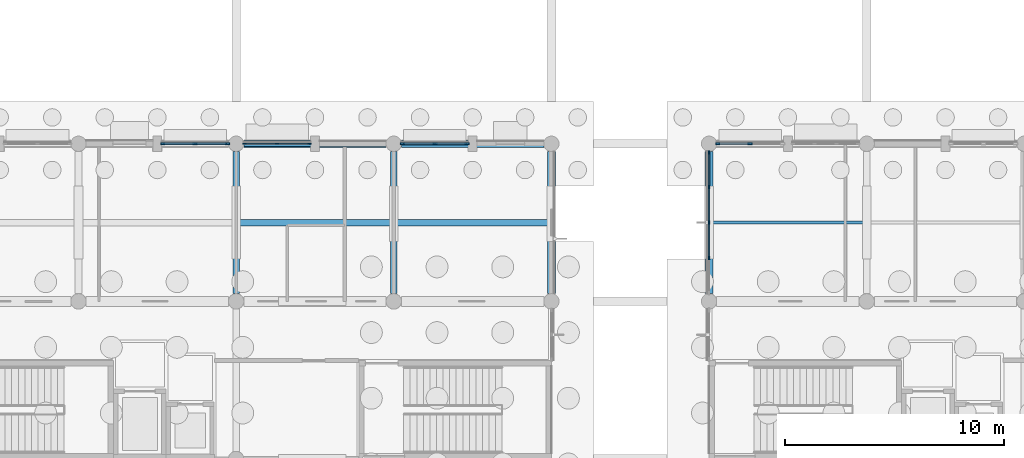
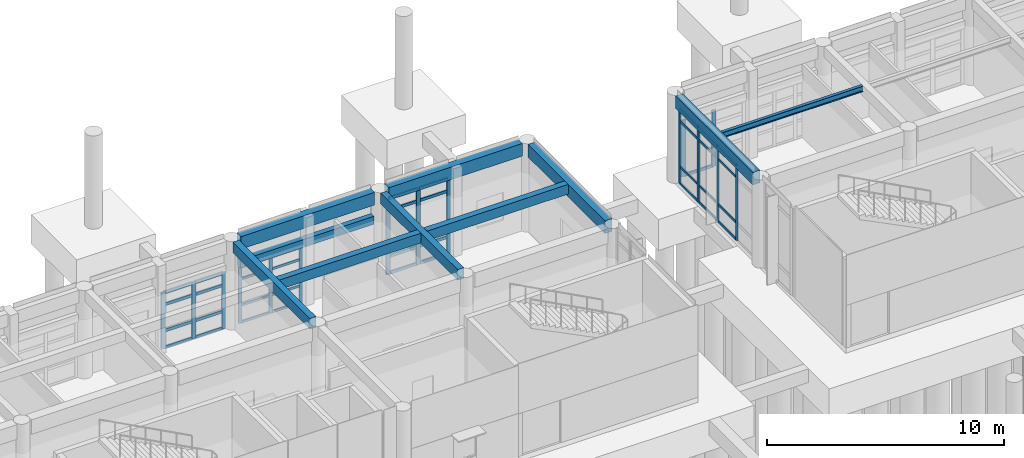
# One storey, part 33 of 103: 52 members, 10 beams, 5 elements without a shape of their own.
"""IFC4 building model written with IfcOpenShell, lengths in metres."""

from ifc_helpers import new_model, si_unit, direction, frame, origin, origin_2d, place, context, subcontext, project, spatial, rectangle, i_section, extrude, material, layer, layer_set, material_profile, profile_set, type_object, element, aggregate, save


model = new_model("IFC4")

# Units and contexts
model_context = context("Model", 3, precision=1e-05, world=origin(), true_north=direction((0.0, 1.0)))
body_context = subcontext(model_context, "Body", "Model", "MODEL_VIEW")
ifc_project = project(units=[si_unit("LENGTHUNIT", "METRE"), si_unit("AREAUNIT", "SQUARE_METRE"), si_unit("VOLUMEUNIT", "CUBIC_METRE"), si_unit("PLANEANGLEUNIT", "RADIAN"), si_unit("MASSUNIT", "GRAM", prefix="KILO")], contexts=[model_context])

# Site, building, storey
site_placement = place(None, origin())
site = spatial("IfcSite", under=ifc_project, at=site_placement, CompositionType="ELEMENT")
building_placement = place(site_placement, origin())
building = spatial("IfcBuilding", under=site, at=building_placement, Name="Namkhue Oval Health Centre", CompositionType="ELEMENT")
storey_placement = place(building_placement, origin())
storey = spatial("IfcBuildingStorey", under=building, at=storey_placement, Name="L00", CompositionType="ELEMENT", Elevation=0.0)

# Curtain wall, members
ifc_material_1 = material(Name="Anodised aluminium EN AW-6063 T6", Category="aluminium")
ifc_layer_1 = layer(ifc_material_1, 0.159912109375)
ifc_layer_set_1 = layer_set([ifc_layer_1], Name="Anodised aluminium EN AW-6063 T6")
curtain_wall_type_1 = type_object("IfcCurtainWallType", Name="UNITISED CURTAIN WALL M1500", PredefinedType="NOTDEFINED", material=ifc_layer_set_1)
curtain_wall_1_placement = place(storey_placement, origin())
curtain_wall_1 = element("IfcCurtainWall", 1, at=curtain_wall_1_placement, inside=storey, type_object=curtain_wall_type_1, Name="Volume V2 L00 Unitised Curtain Wall 39", PredefinedType="NOTDEFINED")
ifc_material_profile_1 = material_profile(ifc_material_1, rectangle(XDim=0.06494140625, YDim=0.159912109375, at=origin_2d()), Name="ALU 65x160")
ifc_profile_set_1 = profile_set([ifc_material_profile_1], Name="Anodised aluminium EN AW-6063 T6")
member_type_1 = type_object("IfcMemberType", Name="CURTAIN WALL MULLION 65X160", PredefinedType="MULLION", material=ifc_profile_set_1)
member_1_placement = place(storey_placement, frame((75.3564453125, 104.39990234375, 0.0), z_axis=(0.0, 0.0, 1.0), x_axis=(0.0, -1.0, 0.0)))
member_1 = element("IfcMember", 2, at=member_1_placement, type_object=member_type_1, Name="CW-03 mullion 1", PredefinedType="MULLION", context=body_context, shape_type="SweptSolid", body=[
    extrude(rectangle(XDim=0.06494140625, YDim=0.159912109375, at=origin_2d()), origin(), (0.0, 0.0, 1.0), 2.89990234375),
])
member_2_placement = place(storey_placement, frame((73.87451171875, 104.39990234375, 0.0), z_axis=(0.0, 0.0, 1.0), x_axis=(0.0, -1.0, 0.0)))
member_2 = element("IfcMember", 3, at=member_2_placement, type_object=member_type_1, Name="CW-03 mullion 2", PredefinedType="MULLION", context=body_context, shape_type="SweptSolid", body=[
    extrude(rectangle(XDim=0.06494140625, YDim=0.159912109375, at=origin_2d()), origin(), (0.0, 0.0, 1.0), 2.89990234375),
])
member_3_placement = place(storey_placement, frame((72.392578125, 104.39990234375, 0.0), z_axis=(0.0, 0.0, 1.0), x_axis=(0.0, -1.0, 0.0)))
member_3 = element("IfcMember", 4, at=member_3_placement, type_object=member_type_1, Name="CW-03 mullion 3", PredefinedType="MULLION", context=body_context, shape_type="SweptSolid", body=[
    extrude(rectangle(XDim=0.06494140625, YDim=0.159912109375, at=origin_2d()), origin(), (0.0, 0.0, 1.0), 2.89990234375),
])

curtain_wall_2_placement = place(storey_placement, origin())
curtain_wall_2 = element("IfcCurtainWall", 5, at=curtain_wall_2_placement, inside=storey, type_object=curtain_wall_type_1, Name="Volume V3 L00 Unitised Curtain Wall 99", PredefinedType="NOTDEFINED")
member_4_placement = place(storey_placement, frame((93.60009765625, 104.007568359375, 0.0), z_axis=(0.0, 0.0, 1.0), x_axis=(1.0, 0.0, 0.0)))
member_4 = element("IfcMember", 6, at=member_4_placement, type_object=member_type_1, Name="CW-03 mullion 1", PredefinedType="MULLION", context=body_context, shape_type="SweptSolid", body=[
    extrude(rectangle(XDim=0.06494140625, YDim=0.159912109375, at=origin_2d()), origin(), (0.0, 0.0, 1.0), 3.885009765625),
])
member_5_placement = place(storey_placement, frame((93.60009765625, 102.419921875, 0.0), z_axis=(0.0, 0.0, 1.0), x_axis=(1.0, 0.0, 0.0)))
member_5 = element("IfcMember", 7, at=member_5_placement, type_object=member_type_1, Name="CW-03 mullion 2", PredefinedType="MULLION", context=body_context, shape_type="SweptSolid", body=[
    extrude(rectangle(XDim=0.06494140625, YDim=0.159912109375, at=origin_2d()), origin(), (0.0, 0.0, 1.0), 3.885009765625),
])
member_6_placement = place(storey_placement, frame((93.60009765625, 100.800048828125, 0.0), z_axis=(0.0, 0.0, 1.0), x_axis=(1.0, 0.0, 0.0)))
member_6 = element("IfcMember", 8, at=member_6_placement, type_object=member_type_1, Name="CW-03 mullion 3", PredefinedType="MULLION", context=body_context, shape_type="SweptSolid", body=[
    extrude(rectangle(XDim=0.06494140625, YDim=0.159912109375, at=origin_2d()), origin(), (0.0, 0.0, 1.0), 3.885009765625),
])
member_7_placement = place(storey_placement, frame((93.60009765625, 99.179931640625, 0.0), z_axis=(0.0, 0.0, 1.0), x_axis=(1.0, 0.0, 0.0)))
member_7 = element("IfcMember", 9, at=member_7_placement, type_object=member_type_1, Name="CW-03 mullion 4", PredefinedType="MULLION", context=body_context, shape_type="SweptSolid", body=[
    extrude(rectangle(XDim=0.06494140625, YDim=0.159912109375, at=origin_2d()), origin(), (0.0, 0.0, 1.0), 3.885009765625),
])

ifc_layer_2 = layer(ifc_material_1, 0.159912109375)
ifc_layer_set_2 = layer_set([ifc_layer_2], Name="Anodised aluminium EN AW-6063 T6")
curtain_wall_type_2 = type_object("IfcCurtainWallType", Name="UNITISED CURTAIN WALL M1350", PredefinedType="NOTDEFINED", material=ifc_layer_set_2)
curtain_wall_3_placement = place(storey_placement, origin())
curtain_wall_3 = element("IfcCurtainWall", 10, at=curtain_wall_3_placement, inside=storey, type_object=curtain_wall_type_2, Name="Volume V2 L00 Unitised Curtain Wall 38", PredefinedType="NOTDEFINED")
ifc_material_profile_2 = material_profile(ifc_material_1, rectangle(XDim=0.074951171875, YDim=0.199951171875, at=origin_2d()), Name="ALU 75x200")
ifc_profile_set_2 = profile_set([ifc_material_profile_2], Name="Anodised aluminium EN AW-6063 T6")
member_type_2 = type_object("IfcMemberType", Name="CURTAIN WALL MULLION 75X200", PredefinedType="MULLION", material=ifc_profile_set_2)
member_8_placement = place(storey_placement, frame((82.551513671875, 104.39990234375, 0.0), z_axis=(0.0, 0.0, 1.0), x_axis=(0.0, -1.0, 0.0)))
member_8 = element("IfcMember", 11, at=member_8_placement, type_object=member_type_2, Name="CW-02 mullion 1", PredefinedType="MULLION", context=body_context, shape_type="SweptSolid", body=[
    extrude(rectangle(XDim=0.074951171875, YDim=0.199951171875, at=origin_2d()), origin(), (0.0, 0.0, 1.0), 3.909912109375),
])
member_9_placement = place(storey_placement, frame((81.074462890625, 104.39990234375, 0.0), z_axis=(0.0, 0.0, 1.0), x_axis=(0.0, -1.0, 0.0)))
member_9 = element("IfcMember", 12, at=member_9_placement, type_object=member_type_2, Name="CW-02 mullion 2", PredefinedType="MULLION", context=body_context, shape_type="SweptSolid", body=[
    extrude(rectangle(XDim=0.074951171875, YDim=0.199951171875, at=origin_2d()), origin(), (0.0, 0.0, 1.0), 3.909912109375),
])
member_10_placement = place(storey_placement, frame((79.597412109375, 104.39990234375, 0.0), z_axis=(0.0, 0.0, 1.0), x_axis=(0.0, -1.0, 0.0)))
member_10 = element("IfcMember", 13, at=member_10_placement, type_object=member_type_2, Name="CW-02 mullion 3", PredefinedType="MULLION", context=body_context, shape_type="SweptSolid", body=[
    extrude(rectangle(XDim=0.074951171875, YDim=0.199951171875, at=origin_2d()), origin(), (0.0, 0.0, 1.0), 3.909912109375),
])

ifc_layer_3 = layer(ifc_material_1, 0.159912109375)
ifc_layer_set_3 = layer_set([ifc_layer_3], Name="Anodised aluminium EN AW-6063 T6")
curtain_wall_type_3 = type_object("IfcCurtainWallType", Name="UNITISED CURTAIN WALL M1600", PredefinedType="NOTDEFINED", material=ifc_layer_set_3)
curtain_wall_4_placement = place(storey_placement, origin())
curtain_wall_4 = element("IfcCurtainWall", 14, at=curtain_wall_4_placement, inside=storey, type_object=curtain_wall_type_3, Name="Volume V2 L00 Unitised Curtain Wall 40", PredefinedType="NOTDEFINED")
member_11_placement = place(storey_placement, frame((71.6025390625, 104.39990234375, 0.0), z_axis=(0.0, 0.0, 1.0), x_axis=(0.0, -1.0, 0.0)))
member_11 = element("IfcMember", 15, at=member_11_placement, type_object=member_type_2, Name="CW-04 mullion 1", PredefinedType="MULLION", context=body_context, shape_type="SweptSolid", body=[
    extrude(rectangle(XDim=0.074951171875, YDim=0.199951171875, at=origin_2d()), origin(), (0.0, 0.0, 1.0), 2.89990234375),
])
member_12_placement = place(storey_placement, frame((70.12548828125, 104.39990234375, 0.0), z_axis=(0.0, 0.0, 1.0), x_axis=(0.0, -1.0, 0.0)))
member_12 = element("IfcMember", 16, at=member_12_placement, type_object=member_type_2, Name="CW-04 mullion 2", PredefinedType="MULLION", context=body_context, shape_type="SweptSolid", body=[
    extrude(rectangle(XDim=0.074951171875, YDim=0.199951171875, at=origin_2d()), origin(), (0.0, 0.0, 1.0), 2.89990234375),
])
member_13_placement = place(storey_placement, frame((68.6484375, 104.39990234375, 0.0), z_axis=(0.0, 0.0, 1.0), x_axis=(0.0, -1.0, 0.0)))
member_13 = element("IfcMember", 17, at=member_13_placement, type_object=member_type_2, Name="CW-04 mullion 3", PredefinedType="MULLION", context=body_context, shape_type="SweptSolid", body=[
    extrude(rectangle(XDim=0.074951171875, YDim=0.199951171875, at=origin_2d()), origin(), (0.0, 0.0, 1.0), 2.89990234375),
])

curtain_wall_5_placement = place(storey_placement, origin())
curtain_wall_5 = element("IfcCurtainWall", 18, at=curtain_wall_5_placement, inside=storey, type_object=curtain_wall_type_2, Name="Volume V3 L00 Unitised Curtain Wall 98", PredefinedType="NOTDEFINED")
member_14_placement = place(storey_placement, frame((95.474609375, 104.39990234375, 0.0), z_axis=(0.0, 0.0, 1.0), x_axis=(0.0, -1.0, 0.0)))
member_14 = element("IfcMember", 19, at=member_14_placement, type_object=member_type_2, Name="CW-02 mullion 2", PredefinedType="MULLION", context=body_context, shape_type="SweptSolid", body=[
    extrude(rectangle(XDim=0.074951171875, YDim=0.199951171875, at=origin_2d()), origin(), (0.0, 0.0, 1.0), 2.89990234375),
])
member_15_placement = place(storey_placement, frame((93.99755859375, 104.39990234375, 0.0), z_axis=(0.0, 0.0, 1.0), x_axis=(0.0, -1.0, 0.0)))
member_15 = element("IfcMember", 20, at=member_15_placement, type_object=member_type_2, Name="CW-02 mullion 3", PredefinedType="MULLION", context=body_context, shape_type="SweptSolid", body=[
    extrude(rectangle(XDim=0.074951171875, YDim=0.199951171875, at=origin_2d()), origin(), (0.0, 0.0, 1.0), 2.89990234375),
])

# Member
ifc_material_profile_3 = material_profile(ifc_material_1, rectangle(XDim=0.06494140625, YDim=0.1201171875, at=origin_2d()), Name="ALU 65x120")
ifc_profile_set_3 = profile_set([ifc_material_profile_3], Name="Anodised aluminium EN AW-6063 T6")
member_type_3 = type_object("IfcMemberType", Name="CURTAIN WALL TRANSOM 65X120", PredefinedType="USERDEFINED", material=ifc_profile_set_3)
member_16_placement = place(storey_placement, frame((75.323974609375, 104.39990234375, 0.032470703125), z_axis=(-1.0, 0.0, 0.0), x_axis=(0.0, -1.0, 0.0)))
member_16 = element("IfcMember", 21, at=member_16_placement, type_object=member_type_3, Name="CW-03 transom 1.1", ObjectType="TRANSOM", PredefinedType="USERDEFINED", context=body_context, shape_type="SweptSolid", body=[
    extrude(rectangle(XDim=0.06494140625, YDim=0.1201171875, at=origin_2d()), origin(), (0.0, 0.0, 1.0), 1.4169921875),
])

member_17_placement = place(storey_placement, frame((75.323974609375, 104.39990234375, 0.89990234375), z_axis=(-1.0, 0.0, 0.0), x_axis=(0.0, -1.0, 0.0)))
member_17 = element("IfcMember", 22, at=member_17_placement, type_object=member_type_3, Name="CW-03 transom 1.2", ObjectType="TRANSOM", PredefinedType="USERDEFINED", context=body_context, shape_type="SweptSolid", body=[
    extrude(rectangle(XDim=0.06494140625, YDim=0.1201171875, at=origin_2d()), origin(), (0.0, 0.0, 1.0), 1.4169921875),
])

member_18_placement = place(storey_placement, frame((75.323974609375, 104.39990234375, 2.25), z_axis=(-1.0, 0.0, 0.0), x_axis=(0.0, -1.0, 0.0)))
member_18 = element("IfcMember", 23, at=member_18_placement, type_object=member_type_3, Name="CW-03 transom 1.3", ObjectType="TRANSOM", PredefinedType="USERDEFINED", context=body_context, shape_type="SweptSolid", body=[
    extrude(rectangle(XDim=0.06494140625, YDim=0.1201171875, at=origin_2d()), origin(), (0.0, 0.0, 1.0), 1.4169921875),
])

member_19_placement = place(storey_placement, frame((75.323974609375, 104.39990234375, 2.867431640625), z_axis=(-1.0, 0.0, 0.0), x_axis=(0.0, -1.0, 0.0)))
member_19 = element("IfcMember", 24, at=member_19_placement, type_object=member_type_3, Name="CW-03 transom 1.4", ObjectType="TRANSOM", PredefinedType="USERDEFINED", context=body_context, shape_type="SweptSolid", body=[
    extrude(rectangle(XDim=0.06494140625, YDim=0.1201171875, at=origin_2d()), origin(), (0.0, 0.0, 1.0), 1.4169921875),
])

member_20_placement = place(storey_placement, frame((73.842041015625, 104.39990234375, 0.032470703125), z_axis=(-1.0, 0.0, 0.0), x_axis=(0.0, -1.0, 0.0)))
member_20 = element("IfcMember", 25, at=member_20_placement, type_object=member_type_3, Name="CW-03 transom 2.1", ObjectType="TRANSOM", PredefinedType="USERDEFINED", context=body_context, shape_type="SweptSolid", body=[
    extrude(rectangle(XDim=0.06494140625, YDim=0.1201171875, at=origin_2d()), origin(), (0.0, 0.0, 1.0), 1.4169921875),
])

member_21_placement = place(storey_placement, frame((73.842041015625, 104.39990234375, 0.89990234375), z_axis=(-1.0, 0.0, 0.0), x_axis=(0.0, -1.0, 0.0)))
member_21 = element("IfcMember", 26, at=member_21_placement, type_object=member_type_3, Name="CW-03 transom 2.2", ObjectType="TRANSOM", PredefinedType="USERDEFINED", context=body_context, shape_type="SweptSolid", body=[
    extrude(rectangle(XDim=0.06494140625, YDim=0.1201171875, at=origin_2d()), origin(), (0.0, 0.0, 1.0), 1.4169921875),
])

member_22_placement = place(storey_placement, frame((73.842041015625, 104.39990234375, 2.25), z_axis=(-1.0, 0.0, 0.0), x_axis=(0.0, -1.0, 0.0)))
member_22 = element("IfcMember", 27, at=member_22_placement, type_object=member_type_3, Name="CW-03 transom 2.3", ObjectType="TRANSOM", PredefinedType="USERDEFINED", context=body_context, shape_type="SweptSolid", body=[
    extrude(rectangle(XDim=0.06494140625, YDim=0.1201171875, at=origin_2d()), origin(), (0.0, 0.0, 1.0), 1.4169921875),
])

member_23_placement = place(storey_placement, frame((73.842041015625, 104.39990234375, 2.867431640625), z_axis=(-1.0, 0.0, 0.0), x_axis=(0.0, -1.0, 0.0)))
member_23 = element("IfcMember", 28, at=member_23_placement, type_object=member_type_3, Name="CW-03 transom 2.4", ObjectType="TRANSOM", PredefinedType="USERDEFINED", context=body_context, shape_type="SweptSolid", body=[
    extrude(rectangle(XDim=0.06494140625, YDim=0.1201171875, at=origin_2d()), origin(), (0.0, 0.0, 1.0), 1.4169921875),
])

aggregate(curtain_wall_1, [member_1, member_2, member_3, member_16, member_17, member_18, member_19, member_20, member_21, member_22, member_23])

member_24_placement = place(storey_placement, frame((93.60009765625, 103.97509765625, 0.032470703125), z_axis=(0.0, -1.0, 0.0), x_axis=(1.0, 0.0, 0.0)))
member_24 = element("IfcMember", 29, at=member_24_placement, type_object=member_type_3, Name="CW-03 transom 1.1", ObjectType="TRANSOM", PredefinedType="USERDEFINED", context=body_context, shape_type="SweptSolid", body=[
    extrude(rectangle(XDim=0.06494140625, YDim=0.1201171875, at=origin_2d()), origin(), (0.0, 0.0, 1.0), 1.522705078125),
])

member_25_placement = place(storey_placement, frame((93.60009765625, 103.97509765625, 0.89990234375), z_axis=(0.0, -1.0, 0.0), x_axis=(1.0, 0.0, 0.0)))
member_25 = element("IfcMember", 30, at=member_25_placement, type_object=member_type_3, Name="CW-03 transom 1.2", ObjectType="TRANSOM", PredefinedType="USERDEFINED", context=body_context, shape_type="SweptSolid", body=[
    extrude(rectangle(XDim=0.06494140625, YDim=0.1201171875, at=origin_2d()), origin(), (0.0, 0.0, 1.0), 1.522705078125),
])

member_26_placement = place(storey_placement, frame((93.60009765625, 103.97509765625, 3.235107421875), z_axis=(0.0, -1.0, 0.0), x_axis=(1.0, 0.0, 0.0)))
member_26 = element("IfcMember", 31, at=member_26_placement, type_object=member_type_3, Name="CW-03 transom 1.3", ObjectType="TRANSOM", PredefinedType="USERDEFINED", context=body_context, shape_type="SweptSolid", body=[
    extrude(rectangle(XDim=0.06494140625, YDim=0.1201171875, at=origin_2d()), origin(), (0.0, 0.0, 1.0), 1.522705078125),
])

member_27_placement = place(storey_placement, frame((93.60009765625, 103.97509765625, 3.8525390625), z_axis=(0.0, -1.0, 0.0), x_axis=(1.0, 0.0, 0.0)))
member_27 = element("IfcMember", 32, at=member_27_placement, type_object=member_type_3, Name="CW-03 transom 1.4", ObjectType="TRANSOM", PredefinedType="USERDEFINED", context=body_context, shape_type="SweptSolid", body=[
    extrude(rectangle(XDim=0.06494140625, YDim=0.1201171875, at=origin_2d()), origin(), (0.0, 0.0, 1.0), 1.522705078125),
])

member_28_placement = place(storey_placement, frame((93.60009765625, 102.387451171875, 0.032470703125), z_axis=(0.0, -1.0, 0.0), x_axis=(1.0, 0.0, 0.0)))
member_28 = element("IfcMember", 33, at=member_28_placement, type_object=member_type_3, Name="CW-03 transom 2.1", ObjectType="TRANSOM", PredefinedType="USERDEFINED", context=body_context, shape_type="SweptSolid", body=[
    extrude(rectangle(XDim=0.06494140625, YDim=0.1201171875, at=origin_2d()), origin(), (0.0, 0.0, 1.0), 1.554931640625),
])

member_29_placement = place(storey_placement, frame((93.60009765625, 102.387451171875, 0.89990234375), z_axis=(0.0, -1.0, 0.0), x_axis=(1.0, 0.0, 0.0)))
member_29 = element("IfcMember", 34, at=member_29_placement, type_object=member_type_3, Name="CW-03 transom 2.2", ObjectType="TRANSOM", PredefinedType="USERDEFINED", context=body_context, shape_type="SweptSolid", body=[
    extrude(rectangle(XDim=0.06494140625, YDim=0.1201171875, at=origin_2d()), origin(), (0.0, 0.0, 1.0), 1.554931640625),
])

member_30_placement = place(storey_placement, frame((93.60009765625, 102.387451171875, 3.235107421875), z_axis=(0.0, -1.0, 0.0), x_axis=(1.0, 0.0, 0.0)))
member_30 = element("IfcMember", 35, at=member_30_placement, type_object=member_type_3, Name="CW-03 transom 2.3", ObjectType="TRANSOM", PredefinedType="USERDEFINED", context=body_context, shape_type="SweptSolid", body=[
    extrude(rectangle(XDim=0.06494140625, YDim=0.1201171875, at=origin_2d()), origin(), (0.0, 0.0, 1.0), 1.554931640625),
])

member_31_placement = place(storey_placement, frame((93.60009765625, 102.387451171875, 3.8525390625), z_axis=(0.0, -1.0, 0.0), x_axis=(1.0, 0.0, 0.0)))
member_31 = element("IfcMember", 36, at=member_31_placement, type_object=member_type_3, Name="CW-03 transom 2.4", ObjectType="TRANSOM", PredefinedType="USERDEFINED", context=body_context, shape_type="SweptSolid", body=[
    extrude(rectangle(XDim=0.06494140625, YDim=0.1201171875, at=origin_2d()), origin(), (0.0, 0.0, 1.0), 1.554931640625),
])

member_32_placement = place(storey_placement, frame((93.60009765625, 100.767578125, 0.032470703125), z_axis=(0.0, -1.0, 0.0), x_axis=(1.0, 0.0, 0.0)))
member_32 = element("IfcMember", 37, at=member_32_placement, type_object=member_type_3, Name="CW-03 transom 3.1", ObjectType="TRANSOM", PredefinedType="USERDEFINED", context=body_context, shape_type="SweptSolid", body=[
    extrude(rectangle(XDim=0.06494140625, YDim=0.1201171875, at=origin_2d()), origin(), (0.0, 0.0, 1.0), 1.55517578125),
])

member_33_placement = place(storey_placement, frame((93.60009765625, 100.767578125, 0.89990234375), z_axis=(0.0, -1.0, 0.0), x_axis=(1.0, 0.0, 0.0)))
member_33 = element("IfcMember", 38, at=member_33_placement, type_object=member_type_3, Name="CW-03 transom 3.2", ObjectType="TRANSOM", PredefinedType="USERDEFINED", context=body_context, shape_type="SweptSolid", body=[
    extrude(rectangle(XDim=0.06494140625, YDim=0.1201171875, at=origin_2d()), origin(), (0.0, 0.0, 1.0), 1.55517578125),
])

member_34_placement = place(storey_placement, frame((93.60009765625, 100.767578125, 3.235107421875), z_axis=(0.0, -1.0, 0.0), x_axis=(1.0, 0.0, 0.0)))
member_34 = element("IfcMember", 39, at=member_34_placement, type_object=member_type_3, Name="CW-03 transom 3.3", ObjectType="TRANSOM", PredefinedType="USERDEFINED", context=body_context, shape_type="SweptSolid", body=[
    extrude(rectangle(XDim=0.06494140625, YDim=0.1201171875, at=origin_2d()), origin(), (0.0, 0.0, 1.0), 1.55517578125),
])

member_35_placement = place(storey_placement, frame((93.60009765625, 100.767578125, 3.8525390625), z_axis=(0.0, -1.0, 0.0), x_axis=(1.0, 0.0, 0.0)))
member_35 = element("IfcMember", 40, at=member_35_placement, type_object=member_type_3, Name="CW-03 transom 3.4", ObjectType="TRANSOM", PredefinedType="USERDEFINED", context=body_context, shape_type="SweptSolid", body=[
    extrude(rectangle(XDim=0.06494140625, YDim=0.1201171875, at=origin_2d()), origin(), (0.0, 0.0, 1.0), 1.55517578125),
])

aggregate(curtain_wall_2, [member_4, member_5, member_6, member_7, member_24, member_25, member_26, member_27, member_28, member_29, member_30, member_31, member_32, member_33, member_34, member_35])

ifc_material_profile_4 = material_profile(ifc_material_1, rectangle(XDim=0.074951171875, YDim=0.14990234375, at=origin_2d()), Name="ALU 75x150")
ifc_profile_set_4 = profile_set([ifc_material_profile_4], Name="Anodised aluminium EN AW-6063 T6")
member_type_4 = type_object("IfcMemberType", Name="CURTAIN WALL TRANSOM 75X150", PredefinedType="USERDEFINED", material=ifc_profile_set_4)
member_36_placement = place(storey_placement, frame((82.513916015625, 104.39990234375, 0.03759765625), z_axis=(-1.0, 0.0, 0.0), x_axis=(0.0, -1.0, 0.0)))
member_36 = element("IfcMember", 41, at=member_36_placement, type_object=member_type_4, Name="CW-02 transom 1.1", ObjectType="TRANSOM", PredefinedType="USERDEFINED", context=body_context, shape_type="SweptSolid", body=[
    extrude(rectangle(XDim=0.074951171875, YDim=0.14990234375, at=origin_2d()), origin(), (0.0, 0.0, 1.0), 1.40185546875),
])

member_37_placement = place(storey_placement, frame((82.513916015625, 104.39990234375, 0.89990234375), z_axis=(-1.0, 0.0, 0.0), x_axis=(0.0, -1.0, 0.0)))
member_37 = element("IfcMember", 42, at=member_37_placement, type_object=member_type_4, Name="CW-02 transom 1.2", ObjectType="TRANSOM", PredefinedType="USERDEFINED", context=body_context, shape_type="SweptSolid", body=[
    extrude(rectangle(XDim=0.074951171875, YDim=0.14990234375, at=origin_2d()), origin(), (0.0, 0.0, 1.0), 1.40185546875),
])

member_38_placement = place(storey_placement, frame((82.513916015625, 104.39990234375, 3.260009765625), z_axis=(-1.0, 0.0, 0.0), x_axis=(0.0, -1.0, 0.0)))
member_38 = element("IfcMember", 43, at=member_38_placement, type_object=member_type_4, Name="CW-02 transom 1.3", ObjectType="TRANSOM", PredefinedType="USERDEFINED", context=body_context, shape_type="SweptSolid", body=[
    extrude(rectangle(XDim=0.074951171875, YDim=0.14990234375, at=origin_2d()), origin(), (0.0, 0.0, 1.0), 1.40185546875),
])

member_39_placement = place(storey_placement, frame((82.513916015625, 104.39990234375, 3.87255859375), z_axis=(-1.0, 0.0, 0.0), x_axis=(0.0, -1.0, 0.0)))
member_39 = element("IfcMember", 44, at=member_39_placement, type_object=member_type_4, Name="CW-02 transom 1.4", ObjectType="TRANSOM", PredefinedType="USERDEFINED", context=body_context, shape_type="SweptSolid", body=[
    extrude(rectangle(XDim=0.074951171875, YDim=0.14990234375, at=origin_2d()), origin(), (0.0, 0.0, 1.0), 1.40185546875),
])

member_40_placement = place(storey_placement, frame((81.037109375, 104.39990234375, 0.03759765625), z_axis=(-1.0, 0.0, 0.0), x_axis=(0.0, -1.0, 0.0)))
member_40 = element("IfcMember", 45, at=member_40_placement, type_object=member_type_4, Name="CW-02 transom 2.1", ObjectType="TRANSOM", PredefinedType="USERDEFINED", context=body_context, shape_type="SweptSolid", body=[
    extrude(rectangle(XDim=0.074951171875, YDim=0.14990234375, at=origin_2d()), origin(), (0.0, 0.0, 1.0), 1.402099609375),
])

member_41_placement = place(storey_placement, frame((81.037109375, 104.39990234375, 0.89990234375), z_axis=(-1.0, 0.0, 0.0), x_axis=(0.0, -1.0, 0.0)))
member_41 = element("IfcMember", 46, at=member_41_placement, type_object=member_type_4, Name="CW-02 transom 2.2", ObjectType="TRANSOM", PredefinedType="USERDEFINED", context=body_context, shape_type="SweptSolid", body=[
    extrude(rectangle(XDim=0.074951171875, YDim=0.14990234375, at=origin_2d()), origin(), (0.0, 0.0, 1.0), 1.402099609375),
])

member_42_placement = place(storey_placement, frame((81.037109375, 104.39990234375, 3.260009765625), z_axis=(-1.0, 0.0, 0.0), x_axis=(0.0, -1.0, 0.0)))
member_42 = element("IfcMember", 47, at=member_42_placement, type_object=member_type_4, Name="CW-02 transom 2.3", ObjectType="TRANSOM", PredefinedType="USERDEFINED", context=body_context, shape_type="SweptSolid", body=[
    extrude(rectangle(XDim=0.074951171875, YDim=0.14990234375, at=origin_2d()), origin(), (0.0, 0.0, 1.0), 1.402099609375),
])

member_43_placement = place(storey_placement, frame((81.037109375, 104.39990234375, 3.87255859375), z_axis=(-1.0, 0.0, 0.0), x_axis=(0.0, -1.0, 0.0)))
member_43 = element("IfcMember", 48, at=member_43_placement, type_object=member_type_4, Name="CW-02 transom 2.4", ObjectType="TRANSOM", PredefinedType="USERDEFINED", context=body_context, shape_type="SweptSolid", body=[
    extrude(rectangle(XDim=0.074951171875, YDim=0.14990234375, at=origin_2d()), origin(), (0.0, 0.0, 1.0), 1.402099609375),
])

aggregate(curtain_wall_3, [member_8, member_9, member_10, member_36, member_37, member_38, member_39, member_40, member_41, member_42, member_43])

member_44_placement = place(storey_placement, frame((71.56494140625, 104.39990234375, 0.03759765625), z_axis=(-1.0, 0.0, 0.0), x_axis=(0.0, -1.0, 0.0)))
member_44 = element("IfcMember", 49, at=member_44_placement, type_object=member_type_4, Name="CW-04 transom 1.1", ObjectType="TRANSOM", PredefinedType="USERDEFINED", context=body_context, shape_type="SweptSolid", body=[
    extrude(rectangle(XDim=0.074951171875, YDim=0.14990234375, at=origin_2d()), origin(), (0.0, 0.0, 1.0), 1.40185546875),
])

member_45_placement = place(storey_placement, frame((71.56494140625, 104.39990234375, 0.89990234375), z_axis=(-1.0, 0.0, 0.0), x_axis=(0.0, -1.0, 0.0)))
member_45 = element("IfcMember", 50, at=member_45_placement, type_object=member_type_4, Name="CW-04 transom 1.2", ObjectType="TRANSOM", PredefinedType="USERDEFINED", context=body_context, shape_type="SweptSolid", body=[
    extrude(rectangle(XDim=0.074951171875, YDim=0.14990234375, at=origin_2d()), origin(), (0.0, 0.0, 1.0), 1.40185546875),
])

member_46_placement = place(storey_placement, frame((71.56494140625, 104.39990234375, 2.25), z_axis=(-1.0, 0.0, 0.0), x_axis=(0.0, -1.0, 0.0)))
member_46 = element("IfcMember", 51, at=member_46_placement, type_object=member_type_4, Name="CW-04 transom 1.3", ObjectType="TRANSOM", PredefinedType="USERDEFINED", context=body_context, shape_type="SweptSolid", body=[
    extrude(rectangle(XDim=0.074951171875, YDim=0.14990234375, at=origin_2d()), origin(), (0.0, 0.0, 1.0), 1.40185546875),
])

member_47_placement = place(storey_placement, frame((71.56494140625, 104.39990234375, 2.862548828125), z_axis=(-1.0, 0.0, 0.0), x_axis=(0.0, -1.0, 0.0)))
member_47 = element("IfcMember", 52, at=member_47_placement, type_object=member_type_4, Name="CW-04 transom 1.4", ObjectType="TRANSOM", PredefinedType="USERDEFINED", context=body_context, shape_type="SweptSolid", body=[
    extrude(rectangle(XDim=0.074951171875, YDim=0.14990234375, at=origin_2d()), origin(), (0.0, 0.0, 1.0), 1.40185546875),
])

member_48_placement = place(storey_placement, frame((70.087890625, 104.39990234375, 0.03759765625), z_axis=(-1.0, 0.0, 0.0), x_axis=(0.0, -1.0, 0.0)))
member_48 = element("IfcMember", 53, at=member_48_placement, type_object=member_type_4, Name="CW-04 transom 2.1", ObjectType="TRANSOM", PredefinedType="USERDEFINED", context=body_context, shape_type="SweptSolid", body=[
    extrude(rectangle(XDim=0.074951171875, YDim=0.14990234375, at=origin_2d()), origin(), (0.0, 0.0, 1.0), 1.40185546875),
])

member_49_placement = place(storey_placement, frame((70.087890625, 104.39990234375, 0.89990234375), z_axis=(-1.0, 0.0, 0.0), x_axis=(0.0, -1.0, 0.0)))
member_49 = element("IfcMember", 54, at=member_49_placement, type_object=member_type_4, Name="CW-04 transom 2.2", ObjectType="TRANSOM", PredefinedType="USERDEFINED", context=body_context, shape_type="SweptSolid", body=[
    extrude(rectangle(XDim=0.074951171875, YDim=0.14990234375, at=origin_2d()), origin(), (0.0, 0.0, 1.0), 1.40185546875),
])

member_50_placement = place(storey_placement, frame((70.087890625, 104.39990234375, 2.25), z_axis=(-1.0, 0.0, 0.0), x_axis=(0.0, -1.0, 0.0)))
member_50 = element("IfcMember", 55, at=member_50_placement, type_object=member_type_4, Name="CW-04 transom 2.3", ObjectType="TRANSOM", PredefinedType="USERDEFINED", context=body_context, shape_type="SweptSolid", body=[
    extrude(rectangle(XDim=0.074951171875, YDim=0.14990234375, at=origin_2d()), origin(), (0.0, 0.0, 1.0), 1.40185546875),
])

member_51_placement = place(storey_placement, frame((70.087890625, 104.39990234375, 2.862548828125), z_axis=(-1.0, 0.0, 0.0), x_axis=(0.0, -1.0, 0.0)))
member_51 = element("IfcMember", 56, at=member_51_placement, type_object=member_type_4, Name="CW-04 transom 2.4", ObjectType="TRANSOM", PredefinedType="USERDEFINED", context=body_context, shape_type="SweptSolid", body=[
    extrude(rectangle(XDim=0.074951171875, YDim=0.14990234375, at=origin_2d()), origin(), (0.0, 0.0, 1.0), 1.40185546875),
])

aggregate(curtain_wall_4, [member_11, member_12, member_13, member_44, member_45, member_46, member_47, member_48, member_49, member_50, member_51])

member_52_placement = place(storey_placement, frame((95.43701171875, 104.39990234375, 0.03759765625), z_axis=(-1.0, 0.0, 0.0), x_axis=(0.0, -1.0, 0.0)))
member_52 = element("IfcMember", 57, at=member_52_placement, type_object=member_type_4, Name="CW-02 transom 2.1", ObjectType="TRANSOM", PredefinedType="USERDEFINED", context=body_context, shape_type="SweptSolid", body=[
    extrude(rectangle(XDim=0.074951171875, YDim=0.14990234375, at=origin_2d()), origin(), (0.0, 0.0, 1.0), 1.402099609375),
])

aggregate(curtain_wall_5, [member_14, member_15, member_52])

# Beams
ifc_material_2 = material(Name="Reinforced concrete C30/37 (TCVN B35)", Category="concrete")
ifc_material_profile_5 = material_profile(ifc_material_2, rectangle(XDim=0.300048828125, YDim=0.550048828125, at=origin_2d()), Name="RC 300x550")
ifc_profile_set_5 = profile_set([ifc_material_profile_5], Name="Reinforced concrete C30/37 (TCVN B35)")
beam_type_1 = type_object("IfcBeamType", Name="FLOOR BEAM RC 300X550", PredefinedType="BEAM", material=ifc_profile_set_5)
for number, where, z_axis, x_axis, name in (
    (58, (72.0, 97.550048828125, 4.284912109375), (0.0, 1.0, 0.0), (-1.0, 0.0, 0.0), "Volume V2 L01 Beam 11/O-P"),
    (59, (79.199951171875, 97.550048828125, 4.284912109375), (0.0, 1.0, 0.0), (-1.0, 0.0, 0.0), "Volume V2 L01 Beam 12/O-P"),
):
    element("IfcBeam", number, at=place(storey_placement, frame(where, z_axis=z_axis, x_axis=x_axis)), inside=storey, type_object=beam_type_1, Name=name, PredefinedType="BEAM", context=body_context, shape_type="SweptSolid", body=[
        extrude(rectangle(XDim=0.300048828125, YDim=0.550048828125, at=origin_2d()), origin(), (0.0, 0.0, 1.0), 6.5),
    ])
ifc_material_profile_6 = material_profile(ifc_material_2, rectangle(XDim=0.25, YDim=0.39990234375, at=origin_2d()), Name="RC 250x400")
ifc_profile_set_6 = profile_set([ifc_material_profile_6], Name="Reinforced concrete C30/37 (TCVN B35)")
beam_type_2 = type_object("IfcBeamType", Name="OPENING LINTEL BEAM 250X400", PredefinedType="LINTEL", material=ifc_profile_set_6)
beam_1_placement = place(storey_placement, frame((72.35009765625, 104.39990234375, 3.10009765625), z_axis=(1.0, 0.0, 0.0), x_axis=(0.0, 1.0, 0.0)))
element("IfcBeam", 60, at=beam_1_placement, inside=storey, type_object=beam_type_2, Name="Volume V2 L00 Portal Lintel Beam 3", PredefinedType="LINTEL", context=body_context, shape_type="SweptSolid", body=[
    extrude(rectangle(XDim=0.25, YDim=0.39990234375, at=origin_2d()), origin(), (0.0, 0.0, 1.0), 6.5),
])
ifc_material_3 = material(Name="Reinforced concrete C35/45 (TCVN B40)", Category="concrete")
ifc_material_profile_7 = material_profile(ifc_material_3, rectangle(XDim=0.35009765625, YDim=0.64990234375, at=origin_2d()), Name="RC 350x650")
ifc_profile_set_7 = profile_set([ifc_material_profile_7], Name="Reinforced concrete C35/45 (TCVN B40)")
beam_type_3 = type_object("IfcBeamType", Name="PERIMETER SPANDREL BEAM 350X650", PredefinedType="SPANDREL", material=ifc_profile_set_7)
for number, where, z_axis, x_axis, name in (
    (61, (72.35009765625, 104.39990234375, 4.235107421875), (1.0, 0.0, 0.0), (0.0, 1.0, 0.0), "Volume V2 L01 Girder P/11-12"),
    (62, (79.550048828125, 104.39990234375, 4.235107421875), (1.0, 0.0, 0.0), (0.0, 1.0, 0.0), "Volume V2 L01 Girder P/12-13"),
    (63, (86.39990234375, 97.550048828125, 4.235107421875), (0.0, 1.0, 0.0), (-1.0, 0.0, 0.0), "Volume V2 L01 Beam 13/O-P"),
    (64, (93.60009765625, 97.550048828125, 4.2099609375), (0.0, 1.0, 0.0), (-1.0, 0.0, 0.0), "Volume V3 L01 Beam 14/O-P"),
):
    element("IfcBeam", number, at=place(storey_placement, frame(where, z_axis=z_axis, x_axis=x_axis)), inside=storey, type_object=beam_type_3, Name=name, PredefinedType="SPANDREL", context=body_context, shape_type="SweptSolid", body=[
        extrude(rectangle(XDim=0.35009765625, YDim=0.64990234375, at=origin_2d()), origin(), (0.0, 0.0, 1.0), 6.5),
    ])
ifc_material_profile_8 = material_profile(ifc_material_2, rectangle(XDim=0.300048828125, YDim=0.5, at=origin_2d()), Name="RC 300x500")
ifc_profile_set_8 = profile_set([ifc_material_profile_8], Name="Reinforced concrete C30/37 (TCVN B35)")
beam_type_4 = type_object("IfcBeamType", Name="SECONDARY JOIST RC 300X500", PredefinedType="JOIST", material=ifc_profile_set_8)
beam_2_placement = place(storey_placement, frame((72.14990234375, 100.800048828125, 4.31005859375), z_axis=(1.0, 0.0, 0.0), x_axis=(0.0, 1.0, 0.0)))
element("IfcBeam", 65, at=beam_2_placement, inside=storey, type_object=beam_type_4, Name="Volume V2 L01 Secondary Joist 11-12", PredefinedType="JOIST", context=body_context, shape_type="SweptSolid", body=[
    extrude(rectangle(XDim=0.300048828125, YDim=0.5, at=origin_2d()), origin(), (0.0, 0.0, 1.0), 6.900146484375),
])
beam_3_placement = place(storey_placement, frame((79.35009765625, 100.800048828125, 4.31005859375), z_axis=(1.0, 0.0, 0.0), x_axis=(0.0, 1.0, 0.0)))
element("IfcBeam", 66, at=beam_3_placement, inside=storey, type_object=beam_type_4, Name="Volume V2 L01 Secondary Joist 12-13", PredefinedType="JOIST", context=body_context, shape_type="SweptSolid", body=[
    extrude(rectangle(XDim=0.300048828125, YDim=0.5, at=origin_2d()), origin(), (0.0, 0.0, 1.0), 6.875),
])
ifc_material_4 = material(Name="Structural steel EN 10025-2 S355JR (TCVN 5575:2024)", Category="steel")
ifc_material_profile_9 = material_profile(ifc_material_4, i_section(OverallWidth=0.14990234375, OverallDepth=0.300048828125, WebThickness=0.007080078125, FlangeThickness=0.0107421875, FilletRadius=0.014892578125, at=origin_2d()), Name="IPE 300")
ifc_profile_set_9 = profile_set([ifc_material_profile_9], Name="Structural steel EN 10025-2 S355JR (TCVN 5575:2024)")
beam_type_5 = type_object("IfcBeamType", Name="SECONDARY JOIST STEEL IPE 300", PredefinedType="JOIST", material=ifc_profile_set_9)
beam_4_placement = place(storey_placement, frame((93.77490234375, 100.800048828125, 4.385009765625), z_axis=(1.0, 0.0, 0.0), x_axis=(0.0, 1.0, 0.0)))
element("IfcBeam", 67, at=beam_4_placement, inside=storey, type_object=beam_type_5, Name="Volume V3 L01 Secondary Joist 14-15", PredefinedType="JOIST", context=body_context, shape_type="SweptSolid", body=[
    extrude(i_section(OverallWidth=0.14990234375, OverallDepth=0.300048828125, WebThickness=0.007080078125, FlangeThickness=0.0107421875, FilletRadius=0.014892578125, at=origin_2d()), origin(), (0.0, 0.0, 1.0), 6.875),
])

save(model, "model.ifc")
